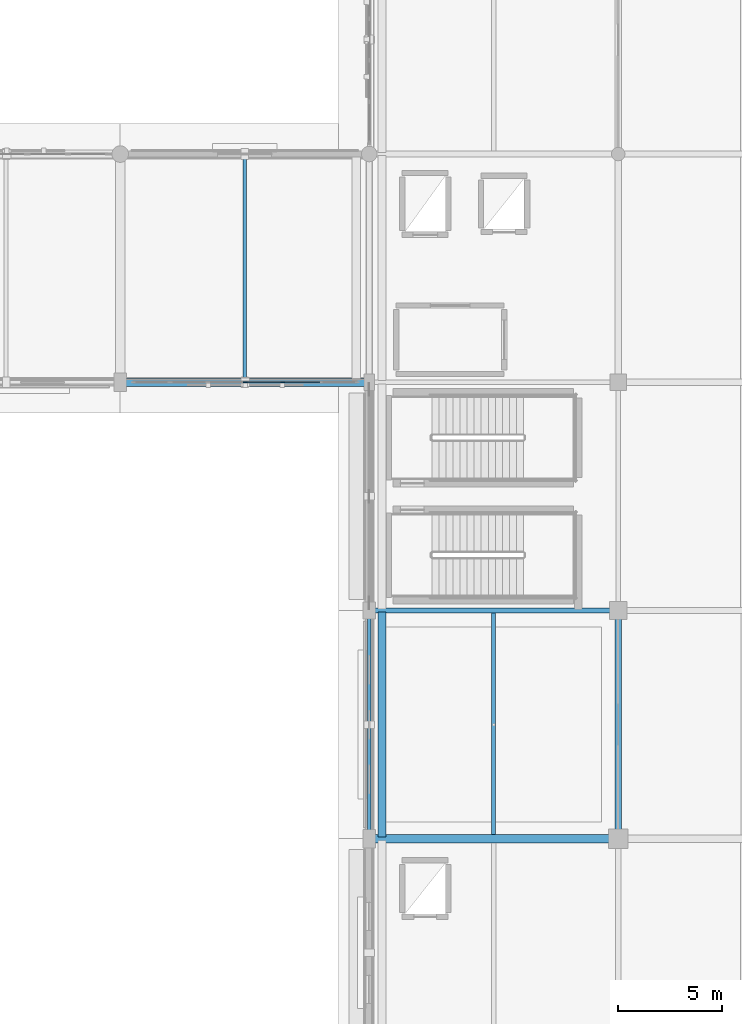
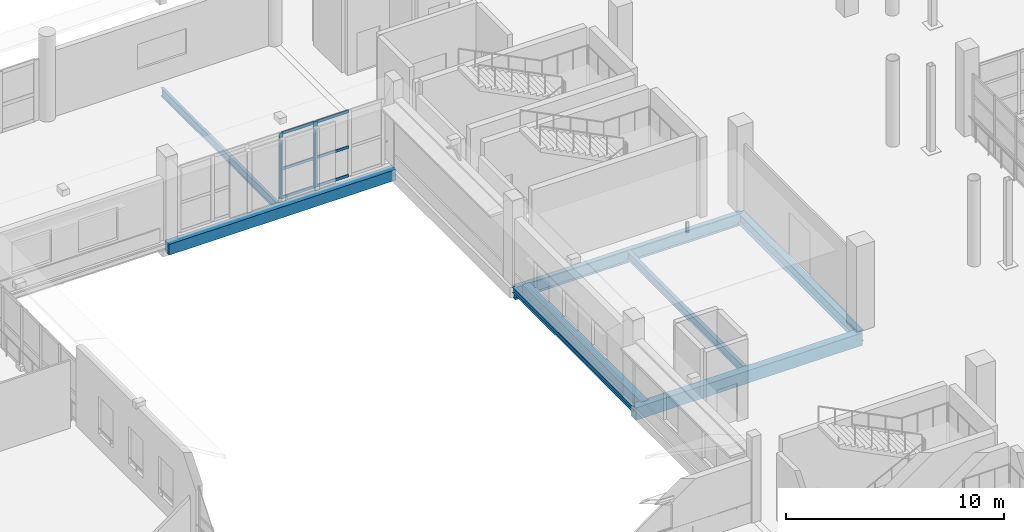
# One storey, part 40 of 143: 8 beams, 8 members, 1 element without a shape of its own.
"""IFC4 building model written with IfcOpenShell, lengths in metres."""

import ifcopenshell
import ifcopenshell.guid

model = None  # the IFC model being written
_history = None  # IfcOwnerHistory: only IFC2X3 demands one
_inside = {}  # id of a spatial element -> (the spatial element, [elements in it])
_under = {}  # id of a project, library or spatial element -> (it, [spatial elements below it])
_declared = {}  # id of a project -> (the project, [libraries it declares])
_typed = {}  # id of a type object -> (the type object, [elements of that type])
_made_of = {}  # id of a material, layer set ... -> (it, [elements and type objects made of it])


def new_model(schema):
    """Start an empty IFC model of exactly this schema.

    Asked for "IFC4X3", IfcOpenShell would pick the latest addendum, in which some entities
    have other attributes; the version numbers below select the first issue.
    IFC2X3 requires an IfcOwnerHistory on every rooted entity: one is made here for all.
    """
    global model, _history
    if schema == "IFC4X3":
        model = ifcopenshell.file(schema_version=(4, 3, 0, 0))
    else:
        model = ifcopenshell.file(schema=schema)
    _inside.clear()
    _under.clear()
    _declared.clear()
    _typed.clear()
    _made_of.clear()
    _history = None
    if model.schema == "IFC2X3":
        org = make("IfcOrganization", Name="unknown")
        user = make(
            "IfcPersonAndOrganization",
            ThePerson=make("IfcPerson", FamilyName="unknown"),
            TheOrganization=org,
        )
        app = make(
            "IfcApplication",
            ApplicationDeveloper=org,
            Version="unknown",
            ApplicationFullName="unknown",
            ApplicationIdentifier="unknown",
        )
        _history = make(
            "IfcOwnerHistory",
            OwningUser=user,
            OwningApplication=app,
            ChangeAction="ADDED",
            CreationDate=0,
        )
    return model


def make(cls, **values):
    """One entity of the class cls with the attributes given. An attribute that is None is left unset."""
    return model.create_entity(
        cls, **{name: value for name, value in values.items() if value is not None}
    )


def rooted(cls, **values):
    """An entity with a GlobalId (a new one), such as an element, a storey or a relation."""
    return make(cls, GlobalId=ifcopenshell.guid.new(), OwnerHistory=_history, **values)


def si_unit(unit_type, name, prefix=None):
    """IfcSIUnit, for example si_unit("LENGTHUNIT", "METRE", prefix="MILLI")."""
    return make("IfcSIUnit", UnitType=unit_type, Prefix=prefix, Name=name)


def assignment(units):
    """IfcUnitAssignment: the units of a project."""
    return None if units is None else make("IfcUnitAssignment", Units=units)


def point(xyz):
    """IfcCartesianPoint."""
    return None if xyz is None else make("IfcCartesianPoint", Coordinates=xyz)


def direction(xyz):
    """IfcDirection."""
    return None if xyz is None else make("IfcDirection", DirectionRatios=xyz)


def frame(location, z_axis=None, x_axis=None):
    """IfcAxis2Placement3D, a coordinate frame: its origin and axes. An axis left out is left unset."""
    return make(
        "IfcAxis2Placement3D",
        Location=point(location),
        Axis=direction(z_axis),
        RefDirection=direction(x_axis),
    )


def frame_2d(location, x_axis=None):
    """IfcAxis2Placement2D, a coordinate frame in the plane: its origin and x axis."""
    return make(
        "IfcAxis2Placement2D", Location=point(location), RefDirection=direction(x_axis)
    )


def origin():
    """The frame at (0, 0, 0) with its axes left unset."""
    return frame((0.0, 0.0, 0.0))


def origin_2d():
    """The frame at (0, 0) in the plane with its x axis left unset."""
    return frame_2d((0.0, 0.0))


def place(relative_to, where):
    """IfcLocalPlacement: puts the frame where relative to a parent placement (None: the world)."""
    return make(
        "IfcLocalPlacement", PlacementRelTo=relative_to, RelativePlacement=where
    )


def context(
    kind, dimensions, precision=None, world=None, true_north=None, identifier=None
):
    """IfcGeometricRepresentationContext, for example the 3D "Model" context."""
    return make(
        "IfcGeometricRepresentationContext",
        ContextIdentifier=identifier,
        ContextType=kind,
        CoordinateSpaceDimension=dimensions,
        Precision=precision,
        WorldCoordinateSystem=world,
        TrueNorth=true_north,
    )


def subcontext(parent, identifier, kind, view, scale=None):
    """IfcGeometricRepresentationSubContext, for example "Body" below "Model"."""
    return make(
        "IfcGeometricRepresentationSubContext",
        ContextIdentifier=identifier,
        ContextType=kind,
        ParentContext=parent,
        TargetScale=scale,
        TargetView=view,
    )


def project(units=None, contexts=None):
    """IfcProject with its units and contexts."""
    return rooted(
        "IfcProject",
        Name="project",
        RepresentationContexts=contexts,
        UnitsInContext=assignment(units),
    )


def spatial(cls, under=None, at=None, **own):
    """A site, building, storey or space (cls), placed at a placement, below another one or the project."""
    s = rooted(cls, ObjectPlacement=at, **own)
    if under is not None:
        _under.setdefault(under.id(), (under, []))[1].append(s)
    return s


def profile(cls, at=None, kind="AREA", **sizes):
    """A parametric profile (cls). Its sizes go by their IFC names, for example OverallWidth=200.0."""
    return make(cls, ProfileType=kind, Position=at, **sizes)


def rectangle(**sizes):
    """IfcRectangleProfileDef."""
    return profile("IfcRectangleProfileDef", **sizes)


def i_section(**sizes):
    """IfcIShapeProfileDef."""
    return profile("IfcIShapeProfileDef", **sizes)


def extrude(swept, where, along, depth):
    """IfcExtrudedAreaSolid: the profile swept, set in the frame where, extruded along a direction by depth."""
    return make(
        "IfcExtrudedAreaSolid",
        SweptArea=swept,
        Position=where,
        ExtrudedDirection=direction(along),
        Depth=depth,
    )


def shape(context_of_items, identifier, shape_type, items):
    """IfcShapeRepresentation: the items that make up one representation, for example the "Body"."""
    return make(
        "IfcShapeRepresentation",
        ContextOfItems=context_of_items,
        RepresentationIdentifier=identifier,
        RepresentationType=shape_type,
        Items=items,
    )


def material(Name=None, Category=None):
    """IfcMaterial."""
    return make("IfcMaterial", Name=Name, Category=Category)


def material_profile(
    of_material, cross_section, Name=None, Category=None, Priority=None
):
    """IfcMaterialProfile: a cross section and its material."""
    return make(
        "IfcMaterialProfile",
        Name=Name,
        Material=of_material,
        Profile=cross_section,
        Priority=Priority,
        Category=Category,
    )


def profile_set(profiles, Name=None, composite=None):
    """IfcMaterialProfileSet."""
    return make(
        "IfcMaterialProfileSet",
        Name=Name,
        MaterialProfiles=profiles,
        CompositeProfile=composite,
    )


def made_of(thing, what):
    """Note that an element or type object is made of a material, layer set ...; save() writes the relation."""
    if what is not None:
        _made_of.setdefault(what.id(), (what, []))[1].append(thing)
    return thing


def type_object(cls, material=None, **own):
    """A type object (cls), such as IfcWallType, which elements share."""
    return made_of(rooted(cls, **own), material)


def element(
    cls,
    number,
    at=None,
    inside=None,
    cuts=None,
    type_object=None,
    material=None,
    context=None,
    identifier="Body",
    shape_type=None,
    held_by="IfcProductDefinitionShape",
    body=None,
    shapes=None,
    **own,
):
    """One element of the class cls, such as IfcWall. Its Tag is "e" and its number.

    at: its placement. inside: the storey or other place that contains it. cuts: it is an
    opening in that element (IfcRelVoidsElement). A single representation is given by context,
    identifier, shape_type and body (its items); several are given by shapes. held_by: the class
    of the entity that holds the representations. save() writes the other relations.
    """
    e = rooted(cls, Tag="e%d" % number, ObjectPlacement=at, **own)
    if body is not None:
        shapes = [shape(context, identifier, shape_type, body)]
    if shapes is not None:
        e.Representation = make(held_by, Representations=shapes)
    if inside is not None:
        _inside.setdefault(inside.id(), (inside, []))[1].append(e)
    if cuts is not None:
        rooted(
            "IfcRelVoidsElement", RelatingBuildingElement=cuts, RelatedOpeningElement=e
        )
    if type_object is not None:
        _typed.setdefault(type_object.id(), (type_object, []))[1].append(e)
    return made_of(e, material)


def aggregate(whole, parts):
    """IfcRelAggregates: a whole, such as a stair, and the parts it consists of."""
    return rooted("IfcRelAggregates", RelatingObject=whole, RelatedObjects=parts)


def save(model, path):
    """Write the relations noted so far, then the file.

    IfcRelAggregates (storeys below a building ...), IfcRelContainedInSpatialStructure (elements
    in a storey), IfcRelDefinesByType, IfcRelAssociatesMaterial and IfcRelDeclares: one each for
    every whole, place, type object, material and project.
    """
    for whole, parts in _under.values():
        aggregate(whole, parts)
    for where, things in _inside.values():
        rooted(
            "IfcRelContainedInSpatialStructure",
            RelatedElements=things,
            RelatingStructure=where,
        )
    for kind, things in _typed.values():
        rooted("IfcRelDefinesByType", RelatedObjects=things, RelatingType=kind)
    for what, things in _made_of.values():
        rooted("IfcRelAssociatesMaterial", RelatedObjects=things, RelatingMaterial=what)
    for by, libraries in _declared.values():
        rooted("IfcRelDeclares", RelatingContext=by, RelatedDefinitions=libraries)
    model.write(path)


model = new_model("IFC4")

# Units and contexts
model_context = context("Model", 3, precision=1e-05, world=origin(), true_north=direction((0.0, 1.0)))
body_context = subcontext(model_context, "Body", "Model", "MODEL_VIEW")
ifc_project = project(units=[si_unit("LENGTHUNIT", "METRE"), si_unit("AREAUNIT", "SQUARE_METRE"), si_unit("VOLUMEUNIT", "CUBIC_METRE"), si_unit("PLANEANGLEUNIT", "RADIAN"), si_unit("MASSUNIT", "GRAM", prefix="KILO")], contexts=[model_context])

# Site, building, storey
site_placement = place(None, origin())
site = spatial("IfcSite", under=ifc_project, at=site_placement, CompositionType="ELEMENT")
building_placement = place(site_placement, origin())
building = spatial("IfcBuilding", under=site, at=building_placement, Name="Luwafu Chhajja Arena", CompositionType="ELEMENT")
storey_placement = place(building_placement, frame((0.0, 0.0, 5.39990234375)))
storey = spatial("IfcBuildingStorey", under=building, at=storey_placement, Name="L01", CompositionType="ELEMENT", Elevation=5.39990234375)

# Curtain wall, members
ifc_material_1 = material(Name="Anodised bronze aluminium", Category="aluminium")
curtain_wall_type = type_object("IfcCurtainWallType", Name="Foyer Luwafu Street Curtain Wall", PredefinedType="USERDEFINED", material=ifc_material_1)
curtain_wall_placement = place(storey_placement, origin())
curtain_wall = element("IfcCurtainWall", 1, at=curtain_wall_placement, inside=storey, type_object=curtain_wall_type, Name="L01 Curtain Wall CWG-L01-H02_08", ObjectType="CURTAIN WALL", PredefinedType="USERDEFINED")
ifc_material_profile_1 = material_profile(ifc_material_1, rectangle(XDim=0.06494140625, YDim=0.199951171875, at=origin_2d()), Name="CWM 65x200")
ifc_profile_set_1 = profile_set([ifc_material_profile_1], Name="Anodised bronze aluminium")
member_type_1 = type_object("IfcMemberType", Name="Bronze Curtain Wall Mullion 65x200", PredefinedType="MULLION", material=ifc_profile_set_1)
member_1_placement = place(storey_placement, frame((28.02490234375, 88.0, 0.030029296875), z_axis=(0.0, 0.0, 1.0), x_axis=(0.0, 1.0, 0.0)))
member_1 = element("IfcMember", 2, at=member_1_placement, type_object=member_type_1, Name="CW-05 mullion 4", PredefinedType="MULLION", context=body_context, shape_type="SweptSolid", body=[
    extrude(rectangle(XDim=0.06494140625, YDim=0.199951171875, at=origin_2d()), origin(), (0.0, 0.0, 1.0), 3.66015625),
])
member_2_placement = place(storey_placement, frame((29.836669921875, 88.0, 0.030029296875), z_axis=(0.0, 0.0, 1.0), x_axis=(0.0, 1.0, 0.0)))
member_2 = element("IfcMember", 3, at=member_2_placement, type_object=member_type_1, Name="CW-05 mullion 5", PredefinedType="MULLION", context=body_context, shape_type="SweptSolid", body=[
    extrude(rectangle(XDim=0.06494140625, YDim=0.199951171875, at=origin_2d()), origin(), (0.0, 0.0, 1.0), 3.66015625),
])
ifc_material_profile_2 = material_profile(ifc_material_1, rectangle(XDim=0.06494140625, YDim=0.14990234375, at=origin_2d()), Name="CWT 65x150")
ifc_profile_set_2 = profile_set([ifc_material_profile_2], Name="Anodised bronze aluminium")
member_type_2 = type_object("IfcMemberType", Name="Bronze Curtain Wall Transom 65x150", PredefinedType="USERDEFINED", material=ifc_profile_set_2)
member_3_placement = place(storey_placement, frame((28.0576171875, 88.0, 0.0625), z_axis=(1.0, 0.0, 0.0), x_axis=(0.0, 1.0, 0.0)))
member_3 = element("IfcMember", 4, at=member_3_placement, type_object=member_type_2, Name="CW-05 transom 4.1", ObjectType="TRANSOM", PredefinedType="USERDEFINED", context=body_context, shape_type="SweptSolid", body=[
    extrude(rectangle(XDim=0.06494140625, YDim=0.14990234375, at=origin_2d()), origin(), (0.0, 0.0, 1.0), 1.74658203125),
])
member_4_placement = place(storey_placement, frame((28.0576171875, 88.0, 1.66064453125), z_axis=(1.0, 0.0, 0.0), x_axis=(0.0, 1.0, 0.0)))
member_4 = element("IfcMember", 5, at=member_4_placement, type_object=member_type_2, Name="CW-05 transom 4.2", ObjectType="TRANSOM", PredefinedType="USERDEFINED", context=body_context, shape_type="SweptSolid", body=[
    extrude(rectangle(XDim=0.06494140625, YDim=0.14990234375, at=origin_2d()), origin(), (0.0, 0.0, 1.0), 1.74658203125),
])
member_5_placement = place(storey_placement, frame((28.0576171875, 88.0, 3.65771484375), z_axis=(1.0, 0.0, 0.0), x_axis=(0.0, 1.0, 0.0)))
member_5 = element("IfcMember", 6, at=member_5_placement, type_object=member_type_2, Name="CW-05 transom 4.3", ObjectType="TRANSOM", PredefinedType="USERDEFINED", context=body_context, shape_type="SweptSolid", body=[
    extrude(rectangle(XDim=0.06494140625, YDim=0.14990234375, at=origin_2d()), origin(), (0.0, 0.0, 1.0), 1.74658203125),
])
member_6_placement = place(storey_placement, frame((29.869140625, 88.0, 0.0625), z_axis=(1.0, 0.0, 0.0), x_axis=(0.0, 1.0, 0.0)))
member_6 = element("IfcMember", 7, at=member_6_placement, type_object=member_type_2, Name="CW-05 transom 5.1", ObjectType="TRANSOM", PredefinedType="USERDEFINED", context=body_context, shape_type="SweptSolid", body=[
    extrude(rectangle(XDim=0.06494140625, YDim=0.14990234375, at=origin_2d()), origin(), (0.0, 0.0, 1.0), 1.74658203125),
])
member_7_placement = place(storey_placement, frame((29.869140625, 88.0, 1.66064453125), z_axis=(1.0, 0.0, 0.0), x_axis=(0.0, 1.0, 0.0)))
member_7 = element("IfcMember", 8, at=member_7_placement, type_object=member_type_2, Name="CW-05 transom 5.2", ObjectType="TRANSOM", PredefinedType="USERDEFINED", context=body_context, shape_type="SweptSolid", body=[
    extrude(rectangle(XDim=0.06494140625, YDim=0.14990234375, at=origin_2d()), origin(), (0.0, 0.0, 1.0), 1.74658203125),
])
member_8_placement = place(storey_placement, frame((29.869140625, 88.0, 3.65771484375), z_axis=(1.0, 0.0, 0.0), x_axis=(0.0, 1.0, 0.0)))
member_8 = element("IfcMember", 9, at=member_8_placement, type_object=member_type_2, Name="CW-05 transom 5.3", ObjectType="TRANSOM", PredefinedType="USERDEFINED", context=body_context, shape_type="SweptSolid", body=[
    extrude(rectangle(XDim=0.06494140625, YDim=0.14990234375, at=origin_2d()), origin(), (0.0, 0.0, 1.0), 1.74658203125),
])
aggregate(curtain_wall, [member_1, member_2, member_3, member_4, member_5, member_6, member_7, member_8])

# Beams
ifc_material_2 = material(Name="Steel S355", Category="steel")
ifc_material_profile_3 = material_profile(ifc_material_2, i_section(OverallWidth=0.165771484375, OverallDepth=0.306640625, WebThickness=0.006591796875, FlangeThickness=0.01171875, at=origin_2d()), Name="UB 305x165x46")
ifc_profile_set_3 = profile_set([ifc_material_profile_3], Name="Steel S355")
beam_type_1 = type_object("IfcBeamType", Name="Concourse Edge Spandrel Beam UB 305x165x46", PredefinedType="SPANDREL", material=ifc_profile_set_3)
beam_1_placement = place(storey_placement, frame((34.0, 66.0, -0.483154296875), z_axis=(0.0, 1.0, 0.0), x_axis=(-1.0, 0.0, 0.0)))
element("IfcBeam", 10, at=beam_1_placement, inside=storey, type_object=beam_type_1, Name="L01 Grid Beam 4/G-H", PredefinedType="SPANDREL", context=body_context, shape_type="SweptSolid", body=[
    extrude(i_section(OverallWidth=0.165771484375, OverallDepth=0.306640625, WebThickness=0.006591796875, FlangeThickness=0.01171875, at=origin_2d()), origin(), (0.0, 0.0, 1.0), 11.0),
])
ifc_material_profile_4 = material_profile(ifc_material_2, i_section(OverallWidth=0.15283203125, OverallDepth=0.45458984375, WebThickness=0.008056640625, FlangeThickness=0.01318359375, at=origin_2d()), Name="UB 457x152x60")
ifc_profile_set_4 = profile_set([ifc_material_profile_4], Name="Steel S355")
beam_type_2 = type_object("IfcBeamType", Name="Floor Joist UB 457x152x60", PredefinedType="JOIST", material=ifc_profile_set_4)
beam_2_placement = place(storey_placement, frame((28.0, 88.199951171875, -0.55712890625), z_axis=(0.0, 1.0, 0.0), x_axis=(-1.0, 0.0, 0.0)))
element("IfcBeam", 11, at=beam_2_placement, inside=storey, type_object=beam_type_2, Name="L01 Secondary Joist 3-4/J", PredefinedType="JOIST", context=body_context, shape_type="SweptSolid", body=[
    extrude(i_section(OverallWidth=0.15283203125, OverallDepth=0.45458984375, WebThickness=0.008056640625, FlangeThickness=0.01318359375, at=origin_2d()), origin(), (0.0, 0.0, 1.0), 10.650146484375),
])
ifc_material_profile_5 = material_profile(ifc_material_2, i_section(OverallWidth=0.19140625, OverallDepth=0.4599609375, WebThickness=0.010009765625, FlangeThickness=0.01611328125, at=origin_2d()), Name="UB 457x191x82")
ifc_profile_set_5 = profile_set([ifc_material_profile_5], Name="Steel S355")
beam_type_3 = type_object("IfcBeamType", Name="Floor Joist UB 457x191x82", PredefinedType="JOIST", material=ifc_profile_set_5)
beam_3_placement = place(storey_placement, frame((40.0, 66.199951171875, -0.559814453125), z_axis=(0.0, 1.0, 0.0), x_axis=(-1.0, 0.0, 0.0)))
element("IfcBeam", 12, at=beam_3_placement, inside=storey, type_object=beam_type_3, Name="L01 Secondary Joist 4-5/G", PredefinedType="JOIST", context=body_context, shape_type="SweptSolid", body=[
    extrude(i_section(OverallWidth=0.19140625, OverallDepth=0.4599609375, WebThickness=0.010009765625, FlangeThickness=0.01611328125, at=origin_2d()), origin(), (0.0, 0.0, 1.0), 10.673095703125),
])
ifc_material_3 = material(Name="Concrete C35/45", Category="concrete")
ifc_material_profile_6 = material_profile(ifc_material_3, rectangle(XDim=0.39990234375, YDim=0.60009765625, at=origin_2d()), Name="RC 400x600")
ifc_profile_set_6 = profile_set([ifc_material_profile_6], Name="Concrete C35/45")
beam_type_4 = type_object("IfcBeamType", Name="Podium Perimeter Spandrel RC 400x600", PredefinedType="SPANDREL", material=ifc_profile_set_6)
beam_4_placement = place(storey_placement, frame((22.0, 88.0, -0.6298828125), z_axis=(1.0, 0.0, 0.0), x_axis=(0.0, 1.0, 0.0)))
element("IfcBeam", 13, at=beam_4_placement, inside=storey, type_object=beam_type_4, Name="L01 Grid Beam 3-4/J", PredefinedType="SPANDREL", context=body_context, shape_type="SweptSolid", body=[
    extrude(rectangle(XDim=0.39990234375, YDim=0.60009765625, at=origin_2d()), origin(), (0.0, 0.0, 1.0), 12.0),
])
beam_5_placement = place(storey_placement, frame((34.6201171875, 66.080078125, -0.6298828125), z_axis=(0.0, 1.0, 0.0), x_axis=(-1.0, 0.0, 0.0)))
element("IfcBeam", 14, at=beam_5_placement, inside=storey, type_object=beam_type_4, Name="L01 Movement Joint MJ1E Seat Girder 06", PredefinedType="SPANDREL", context=body_context, shape_type="SweptSolid", body=[
    extrude(rectangle(XDim=0.39990234375, YDim=0.60009765625, at=origin_2d()), origin(), (0.0, 0.0, 1.0), 10.83984375),
])
ifc_material_profile_7 = material_profile(ifc_material_2, i_section(OverallWidth=0.253662109375, OverallDepth=0.68359375, WebThickness=0.012451171875, FlangeThickness=0.01904296875, at=origin_2d()), Name="UB 686x254x140")
ifc_profile_set_7 = profile_set([ifc_material_profile_7], Name="Steel S355")
beam_type_5 = type_object("IfcBeamType", Name="Steel Concourse Girder UB 686x254x140", PredefinedType="BEAM", material=ifc_profile_set_7)
beam_6_placement = place(storey_placement, frame((34.0, 77.0, -0.671630859375), z_axis=(1.0, 0.0, 0.0), x_axis=(0.0, 1.0, 0.0)))
element("IfcBeam", 15, at=beam_6_placement, inside=storey, type_object=beam_type_5, Name="L01 Grid Beam 4-5/H", PredefinedType="BEAM", context=body_context, shape_type="SweptSolid", body=[
    extrude(i_section(OverallWidth=0.253662109375, OverallDepth=0.68359375, WebThickness=0.012451171875, FlangeThickness=0.01904296875, at=origin_2d()), origin(), (0.0, 0.0, 1.0), 12.0),
])
ifc_material_profile_8 = material_profile(ifc_material_2, i_section(OverallWidth=0.30712890625, OverallDepth=0.6201171875, WebThickness=0.01416015625, FlangeThickness=0.023681640625, at=origin_2d()), Name="UB 610x305x179")
ifc_profile_set_8 = profile_set([ifc_material_profile_8], Name="Steel S355")
beam_type_6 = type_object("IfcBeamType", Name="Steel Hospitality Girder UB 610x305x179", PredefinedType="BEAM", material=ifc_profile_set_8)
beam_7_placement = place(storey_placement, frame((46.0, 66.0, -0.639892578125), z_axis=(0.0, 1.0, 0.0), x_axis=(-1.0, 0.0, 0.0)))
element("IfcBeam", 16, at=beam_7_placement, inside=storey, type_object=beam_type_6, Name="L01 Grid Beam 5/G-H", PredefinedType="BEAM", context=body_context, shape_type="SweptSolid", body=[
    extrude(i_section(OverallWidth=0.30712890625, OverallDepth=0.6201171875, WebThickness=0.01416015625, FlangeThickness=0.023681640625, at=origin_2d()), origin(), (0.0, 0.0, 1.0), 11.0),
])
ifc_material_profile_9 = material_profile(ifc_material_3, rectangle(XDim=0.39990234375, YDim=0.699951171875, at=origin_2d()), Name="RC 400x700")
ifc_profile_set_9 = profile_set([ifc_material_profile_9], Name="Concrete C35/45")
beam_type_7 = type_object("IfcBeamType", Name="Wing Frame Beam RC 400x700", PredefinedType="BEAM", material=ifc_profile_set_9)
beam_8_placement = place(storey_placement, frame((34.0, 66.0, -0.679931640625), z_axis=(1.0, 0.0, 0.0), x_axis=(0.0, 1.0, 0.0)))
element("IfcBeam", 17, at=beam_8_placement, inside=storey, type_object=beam_type_7, Name="L01 Grid Beam 4-5/G", PredefinedType="BEAM", context=body_context, shape_type="SweptSolid", body=[
    extrude(rectangle(XDim=0.39990234375, YDim=0.699951171875, at=origin_2d()), origin(), (0.0, 0.0, 1.0), 12.0),
])

save(model, "model.ifc")
